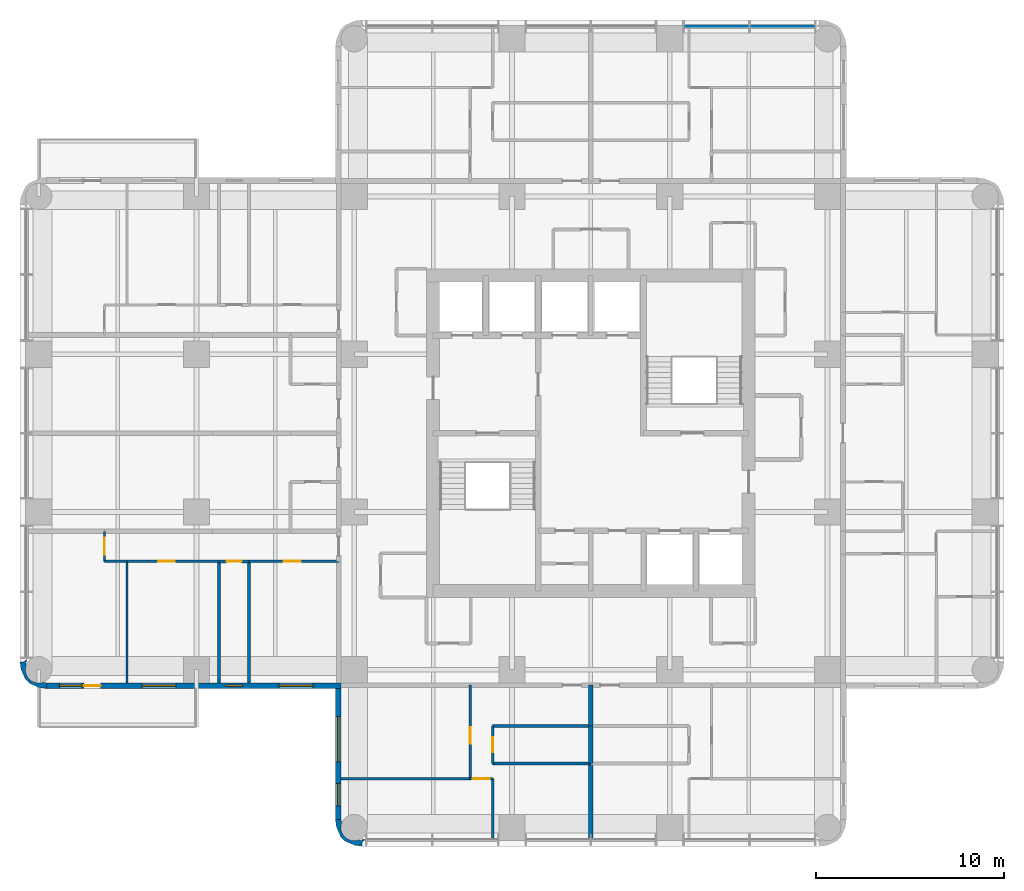
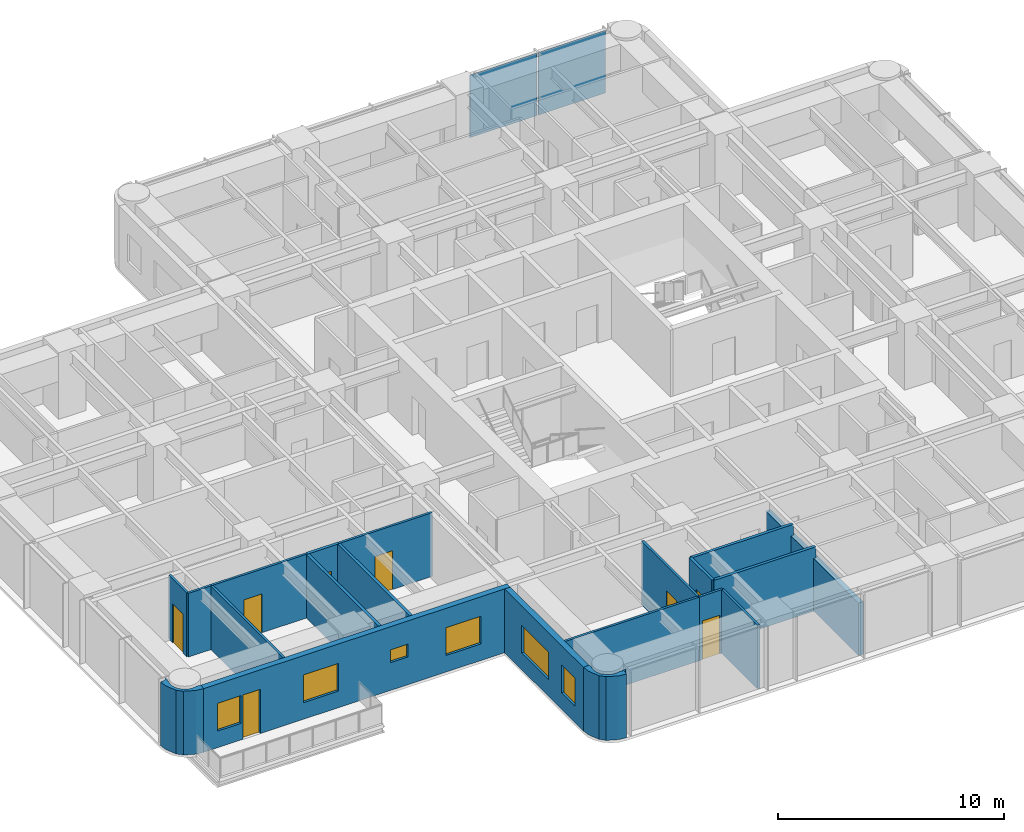
# One storey, part 4 of 11: 22 walls, 8 doors, 6 windows, 2 plates, 14 openings, 1 element without a shape of its own.
"""IFC4 building model written with IfcOpenShell, lengths in metres."""

from ifc_helpers import new_model, si_unit, direction, frame, frame_2d, origin, origin_2d, place, context, subcontext, project, spatial, polyline, rectangle, outline, extrude, material, layer, layer_set, type_object, element, fill, aggregate, save


model = new_model("IFC4")

# Units and contexts
model_context = context("Model", 3, precision=1e-05, world=origin(), true_north=direction((0.0, 1.0)))
body_context = subcontext(model_context, "Body", "Model", "MODEL_VIEW")
ifc_project = project(units=[si_unit("LENGTHUNIT", "METRE"), si_unit("AREAUNIT", "SQUARE_METRE"), si_unit("VOLUMEUNIT", "CUBIC_METRE"), si_unit("PLANEANGLEUNIT", "RADIAN"), si_unit("MASSUNIT", "GRAM", prefix="KILO")], contexts=[model_context])

# Site, building, storey
site_placement = place(None, origin())
site = spatial("IfcSite", under=ifc_project, at=site_placement, CompositionType="ELEMENT")
building_placement = place(site_placement, origin())
building = spatial("IfcBuilding", under=site, at=building_placement, Name="Torre Alcanfor", CompositionType="ELEMENT")
storey_placement = place(building_placement, frame((0.0, 0.0, 215.699951171875)))
storey = spatial("IfcBuildingStorey", under=building, at=storey_placement, Name="L56", CompositionType="ELEMENT", Elevation=215.699951171875)

# Curtain wall, plates
ifc_material_1 = material(Name="Aluminium and glass", Category="aluminium")
curtain_wall_type = type_object("IfcCurtainWallType", Name="CW-A unitised apartment glazing with vertical FIN", PredefinedType="NOTDEFINED", material=ifc_material_1)
curtain_wall_placement = place(storey_placement, origin())
curtain_wall = element("IfcCurtainWall", 1, at=curtain_wall_placement, inside=storey, type_object=curtain_wall_type, Name="Curtain wall CW-A L56 11", PredefinedType="NOTDEFINED")
ifc_material_2 = material(Name="Glass", Category="glass")
ifc_layer_1 = layer(ifc_material_2, 0.028076171875)
ifc_layer_set_1 = layer_set([ifc_layer_1], Name="CW-A clear double glazed unit")
plate_type = type_object("IfcPlateType", Name="CW-A clear double glazed unit", PredefinedType="CURTAIN_PANEL", material=ifc_layer_set_1)
plate_1_placement = place(storey_placement, frame((39.60107421875, 51.050048828125, 0.0), z_axis=(0.0, 0.0, 1.0), x_axis=(-1.0, 0.0, 0.0)))
plate_1 = element("IfcPlate", 2, at=plate_1_placement, type_object=plate_type, Name="CW-A panel 1.1.1", PredefinedType="CURTAIN_PANEL", context=body_context, shape_type="SweptSolid", body=[
    extrude(rectangle(XDim=3.444091796875, YDim=0.028076171875, at=origin_2d()), origin(), (0.0, 0.0, 1.0), 3.385009765625),
])
plate_2_placement = place(storey_placement, frame((36.092041015625, 51.050048828125, 0.0), z_axis=(0.0, 0.0, 1.0), x_axis=(-1.0, 0.0, 0.0)))
plate_2 = element("IfcPlate", 3, at=plate_2_placement, type_object=plate_type, Name="CW-A panel 1.2.1", PredefinedType="CURTAIN_PANEL", context=body_context, shape_type="SweptSolid", body=[
    extrude(rectangle(XDim=3.444091796875, YDim=0.028076171875, at=origin_2d()), origin(), (0.0, 0.0, 1.0), 3.385009765625),
])
aggregate(curtain_wall, [plate_1, plate_2])

# Wall, opening, door
ifc_material_3 = material(Name="Gypsum board on steel studs", Category="steel")
ifc_layer_2 = layer(ifc_material_3, 0.1201171875)
ifc_layer_set_2 = layer_set([ifc_layer_2], Name="Apartment partition 120")
wall_type_1 = type_object("IfcWallType", Name="Apartment partition 120", PredefinedType="PARTITIONING", material=ifc_layer_set_2)
wall_1_placement = place(storey_placement, frame((22.970947265625, 11.0, 0.0), z_axis=(0.0, 0.0, 1.0), x_axis=(0.0, 1.0, 0.0)))
wall_1 = element("IfcWall", 4, at=wall_1_placement, inside=storey, type_object=wall_type_1, Name="Partition L56-S2-LIVING / L56-S2-BED2", PredefinedType="PARTITIONING", context=body_context, shape_type="SweptSolid", body=[
    extrude(rectangle(XDim=4.97509765625, YDim=0.1201171875, at=frame_2d((2.487548828125, 0.0))), origin(), (0.0, 0.0, 1.0), 3.449951171875),
])
opening_1_placement = place(wall_1_placement, frame((1.85009765625, 0.0, 0.0)))
opening_1 = element("IfcOpeningElement", 5, at=opening_1_placement, cuts=wall_1, Name="Opening D-R1", PredefinedType="OPENING", context=body_context, shape_type="SweptSolid", body=[
    extrude(rectangle(XDim=0.89990234375, YDim=2.10009765625, at=frame_2d((0.449951171875, 1.050048828125))), frame((0.0, 0.070068359375, 0.0), z_axis=(0.0, -1.0, 0.0), x_axis=(1.0, 0.0, 0.0)), (0.0, 0.0, 1.0), 0.14013671875),
])
ifc_material_4 = material(Name="Timber", Category="wood")
door_type_1 = type_object("IfcDoorType", Name="Internal door 900x2100", OperationType="SINGLE_SWING_LEFT", PredefinedType="DOOR", material=ifc_material_4)
door_1_placement = place(opening_1_placement, origin())
door_1 = element("IfcDoor", 6, at=door_1_placement, inside=storey, type_object=door_type_1, Name="Door L56-S2 bed2", OperationType="SINGLE_SWING_LEFT", OverallHeight=2.10009765625, OverallWidth=0.89990234375, PredefinedType="DOOR", context=body_context, shape_type="SweptSolid", body=[
    extrude(rectangle(XDim=0.89990234375, YDim=2.10009765625, at=frame_2d((0.449951171875, 1.050048828125))), frame((0.0, 0.02490234375, 0.0), z_axis=(0.0, -1.0, 0.0), x_axis=(1.0, 0.0, 0.0)), (0.0, 0.0, 1.0), 0.050048828125),
])
fill(opening_1, door_1)

# Wall
wall_2_placement = place(storey_placement, frame((24.1708984375, 7.75, 0.0), z_axis=(0.0, 0.0, 1.0), x_axis=(0.0, 1.0, 0.0)))
element("IfcWall", 7, at=wall_2_placement, inside=storey, type_object=wall_type_1, Name="Partition L56-S2-LIVING / L56-S2-MASTER", PredefinedType="PARTITIONING", context=body_context, shape_type="SweptSolid", body=[
    extrude(rectangle(XDim=3.25, YDim=0.1201171875, at=frame_2d((1.625, 0.0))), origin(), (0.0, 0.0, 1.0), 3.449951171875),
])

# Wall, opening, door
wall_3_placement = place(storey_placement, frame((24.1708984375, 11.0, 0.0), z_axis=(0.0, 0.0, 1.0), x_axis=(-1.0, 0.0, 0.0)))
wall_3 = element("IfcWall", 8, at=wall_3_placement, inside=storey, type_object=wall_type_1, Name="Partition L56-S2-LIVING / L56-S2-MASTER", PredefinedType="PARTITIONING", context=body_context, shape_type="SweptSolid", body=[
    extrude(rectangle(XDim=1.199951171875, YDim=0.1201171875, at=frame_2d((0.60009765625, 0.0))), origin(), (0.0, 0.0, 1.0), 3.449951171875),
])
opening_2_placement = place(wall_3_placement, frame((0.15087890625, 0.0, 0.0)))
opening_2 = element("IfcOpeningElement", 9, at=opening_2_placement, cuts=wall_3, Name="Opening D-R1", PredefinedType="OPENING", context=body_context, shape_type="SweptSolid", body=[
    extrude(rectangle(XDim=0.89990234375, YDim=2.10009765625, at=frame_2d((0.449951171875, 1.050048828125))), frame((0.0, 0.070068359375, 0.0), z_axis=(0.0, -1.0, 0.0), x_axis=(1.0, 0.0, 0.0)), (0.0, 0.0, 1.0), 0.14013671875),
])
door_2_placement = place(opening_2_placement, origin())
door_2 = element("IfcDoor", 10, at=door_2_placement, inside=storey, type_object=door_type_1, Name="Door L56-S2 master", OperationType="SINGLE_SWING_LEFT", OverallHeight=2.10009765625, OverallWidth=0.89990234375, PredefinedType="DOOR", context=body_context, shape_type="SweptSolid", body=[
    extrude(rectangle(XDim=0.89990234375, YDim=2.10009765625, at=frame_2d((0.449951171875, 1.050048828125))), frame((0.0, 0.02490234375, 0.0), z_axis=(0.0, -1.0, 0.0), x_axis=(1.0, 0.0, 0.0)), (0.0, 0.0, 1.0), 0.050048828125),
])
fill(opening_2, door_2)

# Wall
wall_4_placement = place(storey_placement, frame((22.970947265625, 11.0, 0.0), z_axis=(0.0, 0.0, 1.0), x_axis=(-1.0, 0.0, 0.0)))
element("IfcWall", 11, at=wall_4_placement, inside=storey, type_object=wall_type_1, Name="Partition L56-S2-BED2 / L56-S2-MASTER", PredefinedType="PARTITIONING", context=body_context, shape_type="SweptSolid", body=[
    extrude(rectangle(XDim=6.870849609375, YDim=0.1201171875, at=frame_2d((3.435546875, 0.0))), origin(), (0.0, 0.0, 1.0), 3.449951171875),
])

# Wall, opening, door
wall_5_placement = place(storey_placement, frame((11.199951171875, 22.571044921875, 0.0), z_axis=(0.0, 0.0, 1.0), x_axis=(1.0, 0.0, 0.0)))
wall_5 = element("IfcWall", 12, at=wall_5_placement, inside=storey, type_object=wall_type_1, Name="Partition L56-W1B-HALL / L56-W1B-BED2", PredefinedType="PARTITIONING", context=body_context, shape_type="SweptSolid", body=[
    extrude(rectangle(XDim=4.775146484375, YDim=0.1201171875, at=frame_2d((2.3876953125, 0.0))), origin(), (0.0, 0.0, 1.0), 3.449951171875),
])
opening_3_placement = place(wall_5_placement, frame((1.85009765625, 0.0, 0.0)))
opening_3 = element("IfcOpeningElement", 13, at=opening_3_placement, cuts=wall_5, Name="Opening D-R1", PredefinedType="OPENING", context=body_context, shape_type="SweptSolid", body=[
    extrude(rectangle(XDim=0.89990234375, YDim=2.10009765625, at=frame_2d((0.449951171875, 1.050048828125))), frame((0.0, 0.070068359375, 0.0), z_axis=(0.0, -1.0, 0.0), x_axis=(1.0, 0.0, 0.0)), (0.0, 0.0, 1.0), 0.14013671875),
])
door_3_placement = place(opening_3_placement, frame((0.89990234375, 0.0, 0.0), z_axis=(0.0, 0.0, 1.0), x_axis=(-1.0, 0.0, 0.0)))
door_3 = element("IfcDoor", 14, at=door_3_placement, inside=storey, type_object=door_type_1, Name="Door L56-W1B bed2", OperationType="SINGLE_SWING_RIGHT", OverallHeight=2.10009765625, OverallWidth=0.89990234375, PredefinedType="DOOR", context=body_context, shape_type="SweptSolid", body=[
    extrude(rectangle(XDim=0.89990234375, YDim=2.10009765625, at=frame_2d((0.449951171875, 1.050048828125))), frame((0.0, 0.025146484375, 0.0), z_axis=(0.0, -1.0, 0.0), x_axis=(1.0, 0.0, 0.0)), (0.0, 0.0, 1.0), 0.050048828125),
])
fill(opening_3, door_3)

wall_6_placement = place(storey_placement, frame((4.699951171875, 22.571044921875, 0.0), z_axis=(0.0, 0.0, 1.0), x_axis=(1.0, 0.0, 0.0)))
wall_6 = element("IfcWall", 15, at=wall_6_placement, inside=storey, type_object=wall_type_1, Name="Partition L56-W1B-HALL / L56-W1B-MASTER", PredefinedType="PARTITIONING", context=body_context, shape_type="SweptSolid", body=[
    extrude(rectangle(XDim=4.900146484375, YDim=0.1201171875, at=frame_2d((2.4501953125, 0.0))), origin(), (0.0, 0.0, 1.0), 3.449951171875),
])
opening_4_placement = place(wall_6_placement, frame((1.64990234375, 0.0, 0.0)))
opening_4 = element("IfcOpeningElement", 16, at=opening_4_placement, cuts=wall_6, Name="Opening D-R1", PredefinedType="OPENING", context=body_context, shape_type="SweptSolid", body=[
    extrude(rectangle(XDim=0.89990234375, YDim=2.10009765625, at=frame_2d((0.449951171875, 1.050048828125))), frame((0.0, 0.070068359375, 0.0), z_axis=(0.0, -1.0, 0.0), x_axis=(1.0, 0.0, 0.0)), (0.0, 0.0, 1.0), 0.14013671875),
])
door_4_placement = place(opening_4_placement, frame((0.89990234375, 0.0, 0.0), z_axis=(0.0, 0.0, 1.0), x_axis=(-1.0, 0.0, 0.0)))
door_4 = element("IfcDoor", 17, at=door_4_placement, inside=storey, type_object=door_type_1, Name="Door L56-W1B master", OperationType="SINGLE_SWING_RIGHT", OverallHeight=2.10009765625, OverallWidth=0.89990234375, PredefinedType="DOOR", context=body_context, shape_type="SweptSolid", body=[
    extrude(rectangle(XDim=0.89990234375, YDim=2.10009765625, at=frame_2d((0.449951171875, 1.050048828125))), frame((0.0, 0.025146484375, 0.0), z_axis=(0.0, -1.0, 0.0), x_axis=(1.0, 0.0, 0.0)), (0.0, 0.0, 1.0), 0.050048828125),
])
fill(opening_4, door_4)

# Wall
wall_7_placement = place(storey_placement, frame((3.5, 22.571044921875, 0.0), z_axis=(0.0, 0.0, 1.0), x_axis=(1.0, 0.0, 0.0)))
element("IfcWall", 18, at=wall_7_placement, inside=storey, type_object=wall_type_1, Name="Partition L56-W1B-HALL / L56-W1B-KITCHEN", PredefinedType="PARTITIONING", context=body_context, shape_type="SweptSolid", body=[
    extrude(rectangle(XDim=1.199951171875, YDim=0.1201171875, at=frame_2d((0.60009765625, 0.0))), origin(), (0.0, 0.0, 1.0), 3.449951171875),
])

# Wall, opening, door
wall_8_placement = place(storey_placement, frame((3.5, 24.1708984375, 0.0), z_axis=(0.0, 0.0, 1.0), x_axis=(0.0, -1.0, 0.0)))
wall_8 = element("IfcWall", 19, at=wall_8_placement, inside=storey, type_object=wall_type_1, Name="Partition L56-W1B-HALL / L56-W1B-LIVING", PredefinedType="PARTITIONING", context=body_context, shape_type="SweptSolid", body=[
    extrude(rectangle(XDim=1.599853515625, YDim=0.1201171875, at=frame_2d((0.7998046875, 0.0))), origin(), (0.0, 0.0, 1.0), 3.449951171875),
])
opening_5_placement = place(wall_8_placement, frame((0.35009765625, 0.0, 0.0)))
opening_5 = element("IfcOpeningElement", 20, at=opening_5_placement, cuts=wall_8, Name="Opening D-R1", PredefinedType="OPENING", context=body_context, shape_type="SweptSolid", body=[
    extrude(rectangle(XDim=0.89990234375, YDim=2.10009765625, at=frame_2d((0.449951171875, 1.050048828125))), frame((0.0, 0.070068359375, 0.0), z_axis=(0.0, -1.0, 0.0), x_axis=(1.0, 0.0, 0.0)), (0.0, 0.0, 1.0), 0.14013671875),
])
door_5_placement = place(opening_5_placement, frame((0.89990234375, 0.0, 0.0), z_axis=(0.0, 0.0, 1.0), x_axis=(-1.0, 0.0, 0.0)))
door_5 = element("IfcDoor", 21, at=door_5_placement, inside=storey, type_object=door_type_1, Name="Door L56-W1B living", OperationType="SINGLE_SWING_RIGHT", OverallHeight=2.10009765625, OverallWidth=0.89990234375, PredefinedType="DOOR", context=body_context, shape_type="SweptSolid", body=[
    extrude(rectangle(XDim=0.89990234375, YDim=2.10009765625, at=frame_2d((0.449951171875, 1.050048828125))), frame((0.0, 0.025146484375, 0.0), z_axis=(0.0, -1.0, 0.0), x_axis=(1.0, 0.0, 0.0)), (0.0, 0.0, 1.0), 0.050048828125),
])
fill(opening_5, door_5)

# Wall
wall_9_placement = place(storey_placement, frame((4.699951171875, 22.571044921875, 0.0), z_axis=(0.0, 0.0, 1.0), x_axis=(0.0, -1.0, 0.0)))
element("IfcWall", 22, at=wall_9_placement, inside=storey, type_object=wall_type_1, Name="Partition L56-W1B-MASTER / L56-W1B-KITCHEN", PredefinedType="PARTITIONING", context=body_context, shape_type="SweptSolid", body=[
    extrude(rectangle(XDim=6.470947265625, YDim=0.1201171875, at=frame_2d((3.2353515625, 0.0))), origin(), (0.0, 0.0, 1.0), 3.449951171875),
])

# Wall, openings, door, windows
ifc_material_5 = material(Name="Limestone cladding", Category="masonry")
ifc_layer_3 = layer(ifc_material_5, 0.0400390625, Name="Facing")
ifc_material_6 = material(Name="Ventilated air cavity")
ifc_layer_4 = layer(ifc_material_6, 0.02001953125, ventilated=True, Name="Ventilated joint")
ifc_material_7 = material(Name="Mineral wool insulation", Category="insulation")
ifc_layer_5 = layer(ifc_material_7, 0.10009765625, Name="Insulation")
ifc_material_8 = material(Name="Concrete f'c 35 MPa", Category="concrete")
ifc_layer_6 = layer(ifc_material_8, 0.139892578125, Name="Backing")
ifc_layer_set_3 = layer_set([ifc_layer_3, ifc_layer_4, ifc_layer_5, ifc_layer_6], Name="External wall stone-clad 300")
wall_type_2 = type_object("IfcWallType", Name="External wall stone-clad 300", PredefinedType="SOLIDWALL", material=ifc_layer_set_3)
wall_10_placement = place(storey_placement, frame((0.39990234375, 15.949951171875, 0.0), z_axis=(0.0, 0.0, 1.0), x_axis=(1.0, 0.0, 0.0)))
wall_10 = element("IfcWall", 23, at=wall_10_placement, inside=storey, type_object=wall_type_2, Name="External wall L56 3", PredefinedType="SOLIDWALL", context=body_context, shape_type="SweptSolid", body=[
    extrude(rectangle(XDim=15.7001953125, YDim=0.300048828125, at=frame_2d((7.85009765625, 0.0))), origin(), (0.0, 0.0, 1.0), 3.449951171875),
])
opening_6_placement = place(wall_10_placement, frame((12.39990234375, 0.0, 0.89990234375)))
opening_6 = element("IfcOpeningElement", 24, at=opening_6_placement, cuts=wall_10, Name="Opening W2", PredefinedType="OPENING", context=body_context, shape_type="SweptSolid", body=[
    extrude(rectangle(XDim=1.800048828125, YDim=1.5, at=frame_2d((0.89990234375, 0.75))), frame((0.0, 0.159912109375, 0.0), z_axis=(0.0, -1.0, 0.0), x_axis=(1.0, 0.0, 0.0)), (0.0, 0.0, 1.0), 0.320068359375),
])
opening_7_placement = place(wall_10_placement, frame((9.550048828125, 0.0, 1.5)))
opening_7 = element("IfcOpeningElement", 25, at=opening_7_placement, cuts=wall_10, Name="Opening W3", PredefinedType="OPENING", context=body_context, shape_type="SweptSolid", body=[
    extrude(rectangle(XDim=0.89990234375, YDim=0.699951171875, at=frame_2d((0.449951171875, 0.35009765625))), frame((0.0, 0.159912109375, 0.0), z_axis=(0.0, -1.0, 0.0), x_axis=(1.0, 0.0, 0.0)), (0.0, 0.0, 1.0), 0.320068359375),
])
opening_8_placement = place(wall_10_placement, frame((5.10009765625, 0.0, 0.89990234375)))
opening_8 = element("IfcOpeningElement", 26, at=opening_8_placement, cuts=wall_10, Name="Opening W2", PredefinedType="OPENING", context=body_context, shape_type="SweptSolid", body=[
    extrude(rectangle(XDim=1.800048828125, YDim=1.5, at=frame_2d((0.89990234375, 0.75))), frame((0.0, 0.159912109375, 0.0), z_axis=(0.0, -1.0, 0.0), x_axis=(1.0, 0.0, 0.0)), (0.0, 0.0, 1.0), 0.320068359375),
])
opening_9_placement = place(wall_10_placement, frame((2.0, 0.0, 0.0)))
opening_9 = element("IfcOpeningElement", 27, at=opening_9_placement, cuts=wall_10, Name="Opening D-B1", PredefinedType="OPENING", context=body_context, shape_type="SweptSolid", body=[
    extrude(rectangle(XDim=0.89990234375, YDim=2.39990234375, at=frame_2d((0.449951171875, 1.199951171875))), frame((0.0, 0.159912109375, 0.0), z_axis=(0.0, -1.0, 0.0), x_axis=(1.0, 0.0, 0.0)), (0.0, 0.0, 1.0), 0.320068359375),
])
opening_10_placement = place(wall_10_placement, frame((0.699951171875, 0.0, 0.89990234375)))
opening_10 = element("IfcOpeningElement", 28, at=opening_10_placement, cuts=wall_10, Name="Opening W4", PredefinedType="OPENING", context=body_context, shape_type="SweptSolid", body=[
    extrude(rectangle(XDim=1.199951171875, YDim=1.5, at=frame_2d((0.60009765625, 0.75))), frame((0.0, 0.159912109375, 0.0), z_axis=(0.0, -1.0, 0.0), x_axis=(1.0, 0.0, 0.0)), (0.0, 0.0, 1.0), 0.320068359375),
])
ifc_material_9 = material(Name="Aluminium and glass", Category="aluminium")
door_type_2 = type_object("IfcDoorType", Name="Balcony door glazed 900x2400", OperationType="SINGLE_SWING_LEFT", PredefinedType="DOOR", material=ifc_material_9)
door_6_placement = place(opening_9_placement, origin())
door_6 = element("IfcDoor", 29, at=door_6_placement, inside=storey, type_object=door_type_2, Name="Balcony door L56-W1", OperationType="SINGLE_SWING_RIGHT", OverallHeight=2.39990234375, OverallWidth=0.89990234375, PredefinedType="DOOR", context=body_context, shape_type="SweptSolid", body=[
    extrude(rectangle(XDim=0.89990234375, YDim=2.39990234375, at=frame_2d((0.449951171875, 1.199951171875))), frame((0.0, 0.02490234375, 0.0), z_axis=(0.0, -1.0, 0.0), x_axis=(1.0, 0.0, 0.0)), (0.0, 0.0, 1.0), 0.050048828125),
])
fill(opening_9, door_6)
ifc_material_10 = material(Name="Aluminium frame with clear double glazing", Category="aluminium")
window_type_1 = type_object("IfcWindowType", Name="Window bathroom 900x700", PartitioningType="SINGLE_PANEL", PredefinedType="WINDOW", material=ifc_material_10)
window_1_placement = place(opening_7_placement, origin())
window_1 = element("IfcWindow", 30, at=window_1_placement, inside=storey, type_object=window_type_1, Name="Window W3 L56-W1", OverallHeight=0.699951171875, OverallWidth=0.89990234375, PartitioningType="SINGLE_PANEL", PredefinedType="WINDOW", context=body_context, shape_type="SweptSolid", body=[
    extrude(rectangle(XDim=0.89990234375, YDim=0.699951171875, at=frame_2d((0.449951171875, 0.35009765625))), frame((0.0, 0.030029296875, 0.0), z_axis=(0.0, -1.0, 0.0), x_axis=(1.0, 0.0, 0.0)), (0.0, 0.0, 1.0), 0.06005859375),
])
fill(opening_7, window_1)
ifc_material_11 = material(Name="Aluminium frame with clear double glazing", Category="aluminium")
window_type_2 = type_object("IfcWindowType", Name="Window bedroom 1200x1500", PartitioningType="SINGLE_PANEL", PredefinedType="WINDOW", material=ifc_material_11)
window_2_placement = place(opening_10_placement, origin())
window_2 = element("IfcWindow", 31, at=window_2_placement, inside=storey, type_object=window_type_2, Name="Window W4 L56-W1", OverallHeight=1.5, OverallWidth=1.199951171875, PartitioningType="SINGLE_PANEL", PredefinedType="WINDOW", context=body_context, shape_type="SweptSolid", body=[
    extrude(rectangle(XDim=1.199951171875, YDim=1.5, at=frame_2d((0.60009765625, 0.75))), frame((0.0, 0.030029296875, 0.0), z_axis=(0.0, -1.0, 0.0), x_axis=(1.0, 0.0, 0.0)), (0.0, 0.0, 1.0), 0.06005859375),
])
fill(opening_10, window_2)
ifc_material_12 = material(Name="Aluminium frame with clear double glazing", Category="aluminium")
window_type_3 = type_object("IfcWindowType", Name="Window bedroom 1800x1500", PartitioningType="SINGLE_PANEL", PredefinedType="WINDOW", material=ifc_material_12)
window_3_placement = place(opening_6_placement, origin())
window_3 = element("IfcWindow", 32, at=window_3_placement, inside=storey, type_object=window_type_3, Name="Window W2 L56-W1", OverallHeight=1.5, OverallWidth=1.800048828125, PartitioningType="SINGLE_PANEL", PredefinedType="WINDOW", context=body_context, shape_type="SweptSolid", body=[
    extrude(rectangle(XDim=1.800048828125, YDim=1.5, at=frame_2d((0.89990234375, 0.75))), frame((0.0, 0.030029296875, 0.0), z_axis=(0.0, -1.0, 0.0), x_axis=(1.0, 0.0, 0.0)), (0.0, 0.0, 1.0), 0.06005859375),
])
fill(opening_6, window_3)
window_4_placement = place(opening_8_placement, origin())
window_4 = element("IfcWindow", 33, at=window_4_placement, inside=storey, type_object=window_type_3, Name="Window W2 L56-W1", OverallHeight=1.5, OverallWidth=1.800048828125, PartitioningType="SINGLE_PANEL", PredefinedType="WINDOW", context=body_context, shape_type="SweptSolid", body=[
    extrude(rectangle(XDim=1.800048828125, YDim=1.5, at=frame_2d((0.89990234375, 0.75))), frame((0.0, 0.030029296875, 0.0), z_axis=(0.0, -1.0, 0.0), x_axis=(1.0, 0.0, 0.0)), (0.0, 0.0, 1.0), 0.06005859375),
])
fill(opening_8, window_4)

# Wall, openings, windows
wall_11_placement = place(storey_placement, frame((15.949951171875, 15.800048828125, 0.0), z_axis=(0.0, 0.0, 1.0), x_axis=(0.0, -1.0, 0.0)))
wall_11 = element("IfcWall", 34, at=wall_11_placement, inside=storey, type_object=wall_type_2, Name="External wall L56 4", PredefinedType="SOLIDWALL", context=body_context, shape_type="SweptSolid", body=[
    extrude(rectangle(XDim=7.0, YDim=0.300048828125, at=frame_2d((3.5, 0.0))), origin(), (0.0, 0.0, 1.0), 3.449951171875),
])
opening_11_placement = place(wall_11_placement, frame((1.5, 0.0, 0.89990234375)))
opening_11 = element("IfcOpeningElement", 35, at=opening_11_placement, cuts=wall_11, Name="Opening W1", PredefinedType="OPENING", context=body_context, shape_type="SweptSolid", body=[
    extrude(rectangle(XDim=2.39990234375, YDim=1.5, at=frame_2d((1.199951171875, 0.75))), frame((0.0, 0.159912109375, 0.0), z_axis=(0.0, -1.0, 0.0), x_axis=(1.0, 0.0, 0.0)), (0.0, 0.0, 1.0), 0.320068359375),
])
opening_12_placement = place(wall_11_placement, frame((5.050048828125, 0.0, 0.89990234375)))
opening_12 = element("IfcOpeningElement", 36, at=opening_12_placement, cuts=wall_11, Name="Opening W4", PredefinedType="OPENING", context=body_context, shape_type="SweptSolid", body=[
    extrude(rectangle(XDim=1.199951171875, YDim=1.5, at=frame_2d((0.60009765625, 0.75))), frame((0.0, 0.159912109375, 0.0), z_axis=(0.0, -1.0, 0.0), x_axis=(1.0, 0.0, 0.0)), (0.0, 0.0, 1.0), 0.320068359375),
])
window_5_placement = place(opening_12_placement, origin())
window_5 = element("IfcWindow", 37, at=window_5_placement, inside=storey, type_object=window_type_2, Name="Window W4 L56-S2", OverallHeight=1.5, OverallWidth=1.199951171875, PartitioningType="SINGLE_PANEL", PredefinedType="WINDOW", context=body_context, shape_type="SweptSolid", body=[
    extrude(rectangle(XDim=1.199951171875, YDim=1.5, at=frame_2d((0.60009765625, 0.75))), frame((0.0, 0.030029296875, 0.0), z_axis=(0.0, -1.0, 0.0), x_axis=(1.0, 0.0, 0.0)), (0.0, 0.0, 1.0), 0.06005859375),
])
fill(opening_12, window_5)
ifc_material_13 = material(Name="Aluminium frame with clear double glazing", Category="aluminium")
window_type_4 = type_object("IfcWindowType", Name="Window bedroom 2400x1500", PartitioningType="SINGLE_PANEL", PredefinedType="WINDOW", material=ifc_material_13)
window_6_placement = place(opening_11_placement, origin())
window_6 = element("IfcWindow", 38, at=window_6_placement, inside=storey, type_object=window_type_4, Name="Window W1 L56-S2", OverallHeight=1.5, OverallWidth=2.39990234375, PartitioningType="SINGLE_PANEL", PredefinedType="WINDOW", context=body_context, shape_type="SweptSolid", body=[
    extrude(rectangle(XDim=2.39990234375, YDim=1.5, at=frame_2d((1.199951171875, 0.75))), frame((0.0, 0.030029296875, 0.0), z_axis=(0.0, -1.0, 0.0), x_axis=(1.0, 0.0, 0.0)), (0.0, 0.0, 1.0), 0.06005859375),
])
fill(opening_11, window_6)

# Walls
ifc_material_14 = material(Name="Concrete block masonry, hollow blocks NMX-C-404 9 MPa", Category="masonry")
ifc_layer_7 = layer(ifc_material_14, 0.25)
ifc_layer_set_4 = layer_set([ifc_layer_7], Name="Party wall 250 EI 60")
wall_type_3 = type_object("IfcWallType", Name="Party wall 250 EI 60", PredefinedType="PARTITIONING", material=ifc_layer_set_4)
wall_12_placement = place(storey_placement, frame((29.39990234375, 13.800048828125, 0.0), z_axis=(0.0, 0.0, 1.0), x_axis=(0.0, -1.0, 0.0)))
element("IfcWall", 39, at=wall_12_placement, inside=storey, type_object=wall_type_3, Name="Partition L56-S1-BATH / L56-S2-BATH", PredefinedType="PARTITIONING", context=body_context, shape_type="SweptSolid", body=[
    extrude(rectangle(XDim=2.0, YDim=0.25, at=frame_2d((1.0, 0.0))), origin(), (0.0, 0.0, 1.0), 2.84814453125),
])
wall_13_placement = place(storey_placement, frame((29.39990234375, 7.75, 0.0), z_axis=(0.0, 0.0, 1.0), x_axis=(0.0, 1.0, 0.0)))
element("IfcWall", 40, at=wall_13_placement, inside=storey, type_object=wall_type_3, Name="Partition L56-S1-LIVING / L56-S2-LIVING", PredefinedType="PARTITIONING", context=body_context, shape_type="SweptSolid", body=[
    extrude(rectangle(XDim=4.050048828125, YDim=0.25, at=frame_2d((2.02490234375, 0.0))), origin(), (0.0, 0.0, 1.0), 2.84814453125),
])
wall_14_placement = place(storey_placement, frame((29.39990234375, 13.800048828125, 0.0), z_axis=(0.0, 0.0, 1.0), x_axis=(0.0, 1.0, 0.0)))
element("IfcWall", 41, at=wall_14_placement, inside=storey, type_object=wall_type_3, Name="Partition L56-S1-LIVING / L56-S2-LIVING", PredefinedType="PARTITIONING", context=body_context, shape_type="SweptSolid", body=[
    extrude(rectangle(XDim=2.175048828125, YDim=0.25, at=frame_2d((1.08740234375, 0.0))), origin(), (0.0, 0.0, 1.0), 2.84814453125),
])
ifc_layer_8 = layer(ifc_material_5, 0.0400390625, Name="Facing")
ifc_layer_9 = layer(ifc_material_6, 0.02001953125, ventilated=True, Name="Ventilated joint")
ifc_layer_10 = layer(ifc_material_7, 0.10009765625, Name="Insulation")
ifc_layer_11 = layer(ifc_material_8, 0.139892578125, Name="Backing")
ifc_layer_set_5 = layer_set([ifc_layer_8, ifc_layer_9, ifc_layer_10, ifc_layer_11], Name="Rounded corner pier stone-clad 300")
wall_type_4 = type_object("IfcWallType", Name="Rounded corner pier stone-clad 300", PredefinedType="SOLIDWALL", material=ifc_layer_set_5)
wall_15_placement = place(storey_placement, frame((-0.58815184, 17.312325495, 0.0), z_axis=(0.0, 0.0, 1.0), x_axis=(-0.898030234854, -0.439933741929, 0.0)))
element("IfcWall", 42, at=wall_15_placement, inside=storey, type_object=wall_type_4, Name="Corner pier L56 14", PredefinedType="SOLIDWALL", context=body_context, shape_type="SweptSolid", body=[
    extrude(outline(polyline([(-0.22200099779214466, 1.7927485446039917), (-0.3895203988851006, 1.5406953482066268), (-0.3717615001977944, 1.5319954866108696), (-0.1946893371505769, 1.4145296087243977), (-0.1196378565013686, 1.4095707271395082), (0.13074069042336733, 1.2869134192092004), (0.31532782000916126, 1.0776826467218847), (0.4055826710323692, 0.8140749979758074), (0.38797260783771476, 0.5356152877148042), (0.26531529990740693, 0.28523674079006817), (0.2089410932617622, 0.23564484500123395), (0.1476439801012907, 0.052805298357783616), (0.1048910758540722, 0.07374940960682917), (0.03174779503048235, -0.07555688676422617), (0.13758283616273645, -0.03932073839803114), (0.18192415361672865, -0.0004176855725517292), (0.4192893563182328, -0.08027036234769044), (0.5359265089611867, 0.2660343125058281), (0.55884082549336, 0.63079452952945), (0.5546362328412097, 0.6510690852705474), (0.5662389797265355, 0.8356887018617073), (0.45562482097298596, 1.1592927954286232), (0.3331931039366845, 1.297838781078767), (0.32408874086174466, 1.3164357373584665), (0.08241545456328281, 1.5906055834666009), (-0.22200099779214466, 1.7927485446039917)])), origin(), (0.0, 0.0, 1.0), 3.449951171875),
])
wall_16_placement = place(storey_placement, frame((16.075788181, 8.689684728, 0.0), z_axis=(0.0, 0.0, 1.0), x_axis=(-0.439933741929, -0.898030234854, 0.0)))
element("IfcWall", 43, at=wall_16_placement, inside=storey, type_object=wall_type_4, Name="Corner pier L56 15", PredefinedType="SOLIDWALL", context=body_context, shape_type="SweptSolid", body=[
    extrude(outline(polyline([(0.6637063463257242, 1.5769511452868783), (0.42612189796141386, 1.4969910628130267), (0.381999826170228, 1.536001521337219), (0.2761647850379738, 1.5722376697034142), (0.3493080658615637, 1.4229313733323588), (0.391841724445976, 1.4437680788826912), (0.45335808326925375, 1.261035937937954), (0.5097322899148984, 1.2114440421491197), (0.6323895978452062, 0.9610654952243838), (0.6499996610398608, 0.6826057849633805), (0.5595255643538466, 0.4188907305185901), (0.37515768043085884, 0.20976736372998736), (0.1247791335061229, 0.08711005579967954), (0.04972765285691469, 0.0821511742147902), (-0.1273445101903028, -0.035314703671681595), (-0.14532265454041515, -0.04412197096615204), (0.02219674655254064, -0.2961751673635169), (0.3266131989079681, -0.09403220622612604), (0.56828648520643, 0.18013763988200826), (0.5776100939441761, 0.19884200186042086), (0.6998225653176713, 0.33728058181185155), (0.810655969734027, 0.6609920810774806), (0.7990532228487013, 0.8456116976686404), (0.8030385698380452, 0.8657788477110249), (0.7801242533058719, 1.2305390647346468), (0.6637063463257242, 1.5769511452868783)])), origin(), (0.0, 0.0, 1.0), 3.449951171875),
])
ifc_material_15 = material(Name="Cement board on steel studs", Category="steel")
ifc_layer_12 = layer(ifc_material_15, 0.14990234375)
ifc_layer_set_6 = layer_set([ifc_layer_12], Name="Wet area partition 150")
wall_type_5 = type_object("IfcWallType", Name="Wet area partition 150", PredefinedType="PARTITIONING", material=ifc_layer_set_6)
wall_17_placement = place(storey_placement, frame((29.39990234375, 11.800048828125, 0.0), z_axis=(0.0, 0.0, 1.0), x_axis=(-1.0, 0.0, 0.0)))
element("IfcWall", 44, at=wall_17_placement, inside=storey, type_object=wall_type_5, Name="Partition L56-S2-BATH / L56-S2-LIVING", PredefinedType="PARTITIONING", context=body_context, shape_type="SweptSolid", body=[
    extrude(rectangle(XDim=5.22900390625, YDim=0.14990234375, at=frame_2d((2.614501953125, 0.0))), origin(), (0.0, 0.0, 1.0), 3.449951171875),
])

# Wall, opening, door
wall_18_placement = place(storey_placement, frame((24.1708984375, 11.800048828125, 0.0), z_axis=(0.0, 0.0, 1.0), x_axis=(0.0, 1.0, 0.0)))
wall_18 = element("IfcWall", 45, at=wall_18_placement, inside=storey, type_object=wall_type_5, Name="Partition L56-S2-BATH / L56-S2-LIVING", PredefinedType="PARTITIONING", context=body_context, shape_type="SweptSolid", body=[
    extrude(rectangle(XDim=2.0, YDim=0.14990234375, at=frame_2d((1.0, 0.0))), origin(), (0.0, 0.0, 1.0), 3.449951171875),
])
opening_13_placement = place(wall_18_placement, frame((0.60009765625, 0.0, 0.0)))
opening_13 = element("IfcOpeningElement", 46, at=opening_13_placement, cuts=wall_18, Name="Opening D-R2", PredefinedType="OPENING", context=body_context, shape_type="SweptSolid", body=[
    extrude(rectangle(XDim=0.800048828125, YDim=2.10009765625, at=frame_2d((0.39990234375, 1.050048828125))), frame((0.0, 0.0849609375, 0.0), z_axis=(0.0, -1.0, 0.0), x_axis=(1.0, 0.0, 0.0)), (0.0, 0.0, 1.0), 0.169921875),
])
ifc_material_16 = material(Name="Timber", Category="wood")
door_type_3 = type_object("IfcDoorType", Name="Bathroom door 800x2100", OperationType="SINGLE_SWING_LEFT", PredefinedType="DOOR", material=ifc_material_16)
door_7_placement = place(opening_13_placement, frame((0.800048828125, 0.0, 0.0), z_axis=(0.0, 0.0, 1.0), x_axis=(-1.0, 0.0, 0.0)))
door_7 = element("IfcDoor", 47, at=door_7_placement, inside=storey, type_object=door_type_3, Name="Door L56-S2 bath", OperationType="SINGLE_SWING_RIGHT", OverallHeight=2.10009765625, OverallWidth=0.800048828125, PredefinedType="DOOR", context=body_context, shape_type="SweptSolid", body=[
    extrude(rectangle(XDim=0.800048828125, YDim=2.10009765625, at=frame_2d((0.400146484375, 1.050048828125))), frame((0.0, 0.025146484375, 0.0), z_axis=(0.0, -1.0, 0.0), x_axis=(1.0, 0.0, 0.0)), (0.0, 0.0, 1.0), 0.050048828125),
])
fill(opening_13, door_7)

# Wall
wall_19_placement = place(storey_placement, frame((24.1708984375, 13.800048828125, 0.0), z_axis=(0.0, 0.0, 1.0), x_axis=(1.0, 0.0, 0.0)))
element("IfcWall", 48, at=wall_19_placement, inside=storey, type_object=wall_type_5, Name="Partition L56-S2-BATH / L56-S2-LIVING", PredefinedType="PARTITIONING", context=body_context, shape_type="SweptSolid", body=[
    extrude(rectangle(XDim=5.22900390625, YDim=0.14990234375, at=frame_2d((2.614501953125, 0.0))), origin(), (0.0, 0.0, 1.0), 3.449951171875),
])

# Wall, opening, door
wall_20_placement = place(storey_placement, frame((9.60009765625, 22.571044921875, 0.0), z_axis=(0.0, 0.0, 1.0), x_axis=(1.0, 0.0, 0.0)))
wall_20 = element("IfcWall", 49, at=wall_20_placement, inside=storey, type_object=wall_type_5, Name="Partition L56-W1B-HALL / L56-W1B-BATH", PredefinedType="PARTITIONING", context=body_context, shape_type="SweptSolid", body=[
    extrude(rectangle(XDim=1.599853515625, YDim=0.14990234375, at=frame_2d((0.7998046875, 0.0))), origin(), (0.0, 0.0, 1.0), 3.449951171875),
])
opening_14_placement = place(wall_20_placement, frame((0.39990234375, 0.0, 0.0)))
opening_14 = element("IfcOpeningElement", 50, at=opening_14_placement, cuts=wall_20, Name="Opening D-R2", PredefinedType="OPENING", context=body_context, shape_type="SweptSolid", body=[
    extrude(rectangle(XDim=0.800048828125, YDim=2.10009765625, at=frame_2d((0.39990234375, 1.050048828125))), frame((0.0, 0.0849609375, 0.0), z_axis=(0.0, -1.0, 0.0), x_axis=(1.0, 0.0, 0.0)), (0.0, 0.0, 1.0), 0.169921875),
])
door_8_placement = place(opening_14_placement, frame((0.800048828125, 0.0, 0.0), z_axis=(0.0, 0.0, 1.0), x_axis=(-1.0, 0.0, 0.0)))
door_8 = element("IfcDoor", 51, at=door_8_placement, inside=storey, type_object=door_type_3, Name="Door L56-W1B bath", OperationType="SINGLE_SWING_RIGHT", OverallHeight=2.10009765625, OverallWidth=0.800048828125, PredefinedType="DOOR", context=body_context, shape_type="SweptSolid", body=[
    extrude(rectangle(XDim=0.800048828125, YDim=2.10009765625, at=frame_2d((0.400146484375, 1.050048828125))), frame((0.0, 0.025146484375, 0.0), z_axis=(0.0, -1.0, 0.0), x_axis=(1.0, 0.0, 0.0)), (0.0, 0.0, 1.0), 0.050048828125),
])
fill(opening_14, door_8)

# Walls
for number, where, z_axis, x_axis, name in (
    (52, (11.199951171875, 22.571044921875, 0.0), (0.0, 0.0, 1.0), (0.0, -1.0, 0.0), "Partition L56-W1B-BED2 / L56-W1B-BATH"),
    (53, (9.60009765625, 22.571044921875, 0.0), (0.0, 0.0, 1.0), (0.0, -1.0, 0.0), "Partition L56-W1B-BATH / L56-W1B-MASTER"),
):
    element("IfcWall", number, at=place(storey_placement, frame(where, z_axis=z_axis, x_axis=x_axis)), inside=storey, type_object=wall_type_5, Name=name, PredefinedType="PARTITIONING", context=body_context, shape_type="SweptSolid", body=[
        extrude(rectangle(XDim=6.470947265625, YDim=0.14990234375, at=frame_2d((3.2353515625, 0.0))), origin(), (0.0, 0.0, 1.0), 3.449951171875),
    ])

save(model, "model.ifc")
